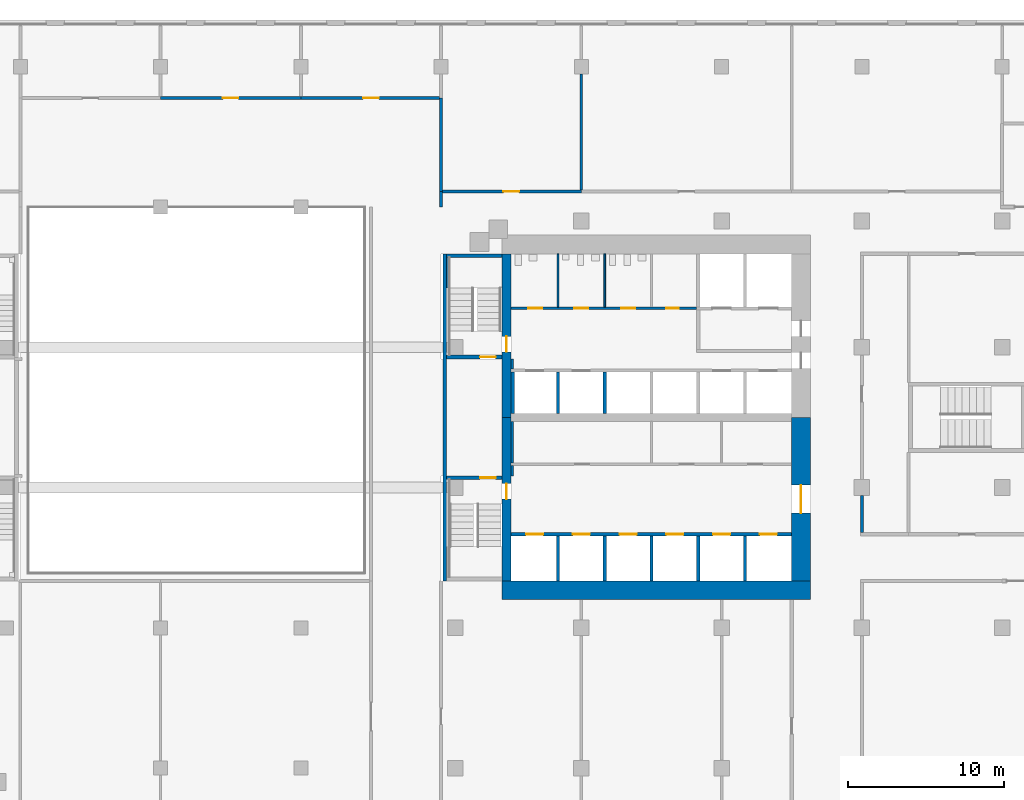
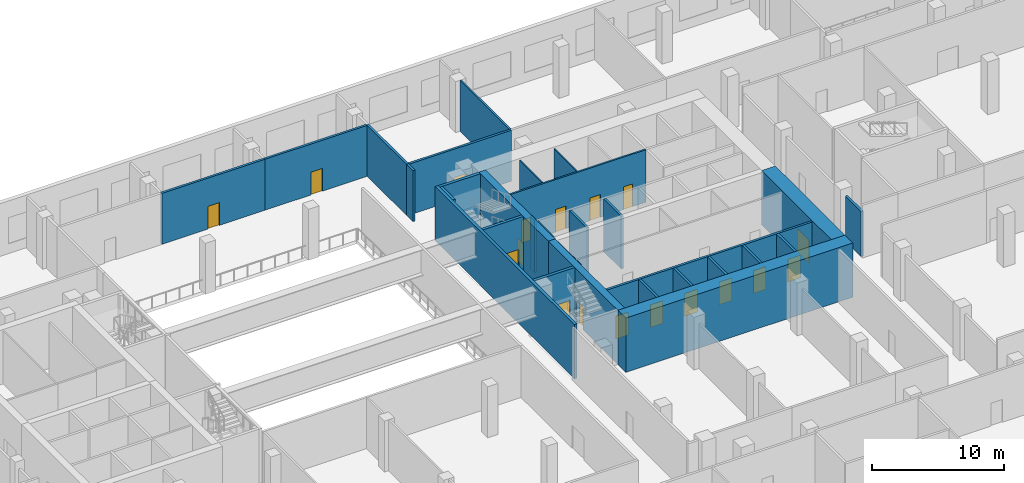
# One storey, part 10 of 20: 31 walls, 18 doors, 18 openings.
"""IFC4 building model written with IfcOpenShell, lengths in metres."""

from ifc_helpers import new_model, si_unit, direction, frame, frame_2d, origin, place, context, subcontext, project, spatial, rectangle, extrude, material, layer, layer_set, type_object, element, fill, save


model = new_model("IFC4")

# Units and contexts
model_context = context("Model", 3, precision=1e-05, world=origin(), true_north=direction((0.0, 1.0)))
body_context = subcontext(model_context, "Body", "Model", "MODEL_VIEW")
ifc_project = project(units=[si_unit("LENGTHUNIT", "METRE"), si_unit("AREAUNIT", "SQUARE_METRE"), si_unit("VOLUMEUNIT", "CUBIC_METRE"), si_unit("PLANEANGLEUNIT", "RADIAN"), si_unit("MASSUNIT", "GRAM", prefix="KILO")], contexts=[model_context])

# Site, building, storey
site_placement = place(None, origin())
site = spatial("IfcSite", under=ifc_project, at=site_placement, CompositionType="ELEMENT")
building_placement = place(site_placement, origin())
building = spatial("IfcBuilding", under=site, at=building_placement, Name="Cinnabar Reach Civic Tower", CompositionType="ELEMENT")
storey_placement = place(building_placement, frame((0.0, 0.0, 21.0)))
storey = spatial("IfcBuildingStorey", under=building, at=storey_placement, Name="L04", CompositionType="ELEMENT", Elevation=21.0)

# Wall
ifc_material_1 = material(Name="Concrete C70", Category="concrete")
ifc_layer_1 = layer(ifc_material_1, 1.2)
ifc_layer_set_1 = layer_set([ifc_layer_1], Name="Core wall 1200 EI 180")
wall_type_1 = type_object("IfcWallType", Name="Core wall 1200 EI 180", PredefinedType="SOLIDWALL", material=ifc_layer_set_1)
wall_1_placement = place(storey_placement, frame((3.9, 20.4, 0.0), z_axis=(0.0, 0.0, 1.0), x_axis=(1.0, 0.0, 0.0)))
element("IfcWall", 1, at=wall_1_placement, inside=storey, type_object=wall_type_1, Name="Core wall T1 L04 S", PredefinedType="SOLIDWALL", context=body_context, shape_type="SweptSolid", body=[
    extrude(rectangle(XDim=19.8, YDim=1.2, at=frame_2d((9.9, 0.0))), origin(), (0.0, 0.0, 1.0), 5.0),
])

# Wall, opening, door
wall_2_placement = place(storey_placement, frame((23.1, 21.0, 0.0), z_axis=(0.0, 0.0, 1.0), x_axis=(0.0, 1.0, 0.0)))
wall_2 = element("IfcWall", 2, at=wall_2_placement, inside=storey, type_object=wall_type_1, Name="Core wall T1 L04 E", PredefinedType="SOLIDWALL", context=body_context, shape_type="SweptSolid", body=[
    extrude(rectangle(XDim=10.5, YDim=1.2, at=frame_2d((5.25, 0.0))), origin(), (0.0, 0.0, 1.0), 5.0),
])
opening_1_placement = place(wall_2_placement, frame((4.35, 0.0, 0.0)))
opening_1 = element("IfcOpeningElement", 3, at=opening_1_placement, cuts=wall_2, Name="Opening D3180", PredefinedType="OPENING", context=body_context, shape_type="SweptSolid", body=[
    extrude(rectangle(XDim=1.8, YDim=2.1, at=frame_2d((0.9, 1.05))), frame((0.0, 0.61, 0.0), z_axis=(0.0, -1.0, 0.0), x_axis=(1.0, 0.0, 0.0)), (0.0, 0.0, 1.0), 1.22),
])
ifc_material_2 = material(Name="Timber door leaf in steel frame", Category="steel")
door_type_1 = type_object("IfcDoorType", Name="Double swing door 1800 x 2100 T1", OperationType="DOUBLE_DOOR_DOUBLE_SWING", PredefinedType="DOOR", material=ifc_material_2)
door_1_placement = place(opening_1_placement, origin())
door_1 = element("IfcDoor", 4, at=door_1_placement, inside=storey, type_object=door_type_1, Name="Door D3180", OperationType="DOUBLE_DOOR_DOUBLE_SWING", OverallHeight=2.1, OverallWidth=1.8, PredefinedType="DOOR", context=body_context, shape_type="SweptSolid", body=[
    extrude(rectangle(XDim=1.8, YDim=2.1, at=frame_2d((0.9, 1.05))), frame((0.0, 0.025, 0.0), z_axis=(0.0, -1.0, 0.0), x_axis=(1.0, 0.0, 0.0)), (0.0, 0.0, 1.0), 0.05),
])
fill(opening_1, door_1)

ifc_layer_2 = layer(ifc_material_1, 0.6)
ifc_layer_set_2 = layer_set([ifc_layer_2], Name="Core wall 600 EI 180")
wall_type_2 = type_object("IfcWallType", Name="Core wall 600 EI 180", PredefinedType="SOLIDWALL", material=ifc_layer_set_2)
wall_3_placement = place(storey_placement, frame((4.2, 42.0, 0.0), z_axis=(0.0, 0.0, 1.0), x_axis=(0.0, -1.0, 0.0)))
wall_3 = element("IfcWall", 5, at=wall_3_placement, inside=storey, type_object=wall_type_2, Name="Core wall T1 L04 W", PredefinedType="SOLIDWALL", context=body_context, shape_type="SweptSolid", body=[
    extrude(rectangle(XDim=10.5, YDim=0.6, at=frame_2d((5.25, 0.0))), origin(), (0.0, 0.0, 1.0), 5.0),
])
opening_2_placement = place(wall_3_placement, frame((5.3, 0.0, 0.0)))
opening_2 = element("IfcOpeningElement", 6, at=opening_2_placement, cuts=wall_3, Name="Opening D3166", PredefinedType="OPENING", context=body_context, shape_type="SweptSolid", body=[
    extrude(rectangle(XDim=1.0, YDim=2.1, at=frame_2d((0.5, 1.05))), frame((0.0, 0.31, 0.0), z_axis=(0.0, -1.0, 0.0), x_axis=(1.0, 0.0, 0.0)), (0.0, 0.0, 1.0), 0.62),
])
door_type_2 = type_object("IfcDoorType", Name="Stair door 1000 x 2100 T1", OperationType="SINGLE_SWING_LEFT", PredefinedType="DOOR", material=ifc_material_2)
door_2_placement = place(opening_2_placement, frame((1.0, 0.0, 0.0), z_axis=(0.0, 0.0, 1.0), x_axis=(-1.0, 0.0, 0.0)))
door_2 = element("IfcDoor", 7, at=door_2_placement, inside=storey, type_object=door_type_2, Name="Door D3166", OperationType="SINGLE_SWING_LEFT", OverallHeight=2.1, OverallWidth=1.0, PredefinedType="DOOR", context=body_context, shape_type="SweptSolid", body=[
    extrude(rectangle(XDim=1.0, YDim=2.1, at=frame_2d((0.5, 1.05))), frame((0.0, 0.025, 0.0), z_axis=(0.0, -1.0, 0.0), x_axis=(1.0, 0.0, 0.0)), (0.0, 0.0, 1.0), 0.05),
])
fill(opening_2, door_2)

wall_4_placement = place(storey_placement, frame((4.2, 31.5, 0.0), z_axis=(0.0, 0.0, 1.0), x_axis=(0.0, -1.0, 0.0)))
wall_4 = element("IfcWall", 8, at=wall_4_placement, inside=storey, type_object=wall_type_2, Name="Core wall T1 L04 W2", PredefinedType="SOLIDWALL", context=body_context, shape_type="SweptSolid", body=[
    extrude(rectangle(XDim=10.5, YDim=0.6, at=frame_2d((5.25, 0.0))), origin(), (0.0, 0.0, 1.0), 5.0),
])
opening_3_placement = place(wall_4_placement, frame((4.25, 0.0, 0.0)))
opening_3 = element("IfcOpeningElement", 9, at=opening_3_placement, cuts=wall_4, Name="Opening D3164", PredefinedType="OPENING", context=body_context, shape_type="SweptSolid", body=[
    extrude(rectangle(XDim=1.0, YDim=2.1, at=frame_2d((0.5, 1.05))), frame((0.0, 0.31, 0.0), z_axis=(0.0, -1.0, 0.0), x_axis=(1.0, 0.0, 0.0)), (0.0, 0.0, 1.0), 0.62),
])
door_3_placement = place(opening_3_placement, frame((1.0, 0.0, 0.0), z_axis=(0.0, 0.0, 1.0), x_axis=(-1.0, 0.0, 0.0)))
door_3 = element("IfcDoor", 10, at=door_3_placement, inside=storey, type_object=door_type_2, Name="Door D3164", OperationType="SINGLE_SWING_RIGHT", OverallHeight=2.1, OverallWidth=1.0, PredefinedType="DOOR", context=body_context, shape_type="SweptSolid", body=[
    extrude(rectangle(XDim=1.0, YDim=2.1, at=frame_2d((0.5, 1.05))), frame((0.0, 0.025, 0.0), z_axis=(0.0, -1.0, 0.0), x_axis=(1.0, 0.0, 0.0)), (0.0, 0.0, 1.0), 0.05),
])
fill(opening_3, door_3)

# Wall, openings, doors
ifc_material_3 = material(Name="Gypsum board on steel studs, double layer", Category="steel")
ifc_layer_3 = layer(ifc_material_3, 0.15)
ifc_layer_set_3 = layer_set([ifc_layer_3], Name="Corridor wall 150 T1")
wall_type_3 = type_object("IfcWallType", Name="Corridor wall 150 T1", PredefinedType="PARTITIONING", material=ifc_layer_set_3)
wall_5_placement = place(storey_placement, frame((4.5, 38.5, 0.0), z_axis=(0.0, 0.0, 1.0), x_axis=(1.0, 0.0, 0.0)))
wall_5 = element("IfcWall", 11, at=wall_5_placement, inside=storey, type_object=wall_type_3, Name="Corridor wall 20", PredefinedType="PARTITIONING", context=body_context, shape_type="SweptSolid", body=[
    extrude(rectangle(XDim=11.9, YDim=0.15, at=frame_2d((5.95, 0.0))), origin(), (0.0, 0.0, 1.0), 4.85),
])
opening_4_placement = place(wall_5_placement, frame((1.1, 0.0, 0.0)))
opening_4 = element("IfcOpeningElement", 12, at=opening_4_placement, cuts=wall_5, Name="Opening D3186", PredefinedType="OPENING", context=body_context, shape_type="SweptSolid", body=[
    extrude(rectangle(XDim=0.9, YDim=2.1, at=frame_2d((0.45, 1.05))), frame((0.0, 0.085, 0.0), z_axis=(0.0, -1.0, 0.0), x_axis=(1.0, 0.0, 0.0)), (0.0, 0.0, 1.0), 0.17),
])
opening_5_placement = place(wall_5_placement, frame((4.05, 0.0, 0.0)))
opening_5 = element("IfcOpeningElement", 13, at=opening_5_placement, cuts=wall_5, Name="Opening D3187", PredefinedType="OPENING", context=body_context, shape_type="SweptSolid", body=[
    extrude(rectangle(XDim=0.9, YDim=2.1, at=frame_2d((0.45, 1.05))), frame((0.0, 0.085, 0.0), z_axis=(0.0, -1.0, 0.0), x_axis=(1.0, 0.0, 0.0)), (0.0, 0.0, 1.0), 0.17),
])
opening_6_placement = place(wall_5_placement, frame((7.05, 0.0, 0.0)))
opening_6 = element("IfcOpeningElement", 14, at=opening_6_placement, cuts=wall_5, Name="Opening D3188", PredefinedType="OPENING", context=body_context, shape_type="SweptSolid", body=[
    extrude(rectangle(XDim=0.9, YDim=2.1, at=frame_2d((0.45, 1.05))), frame((0.0, 0.085, 0.0), z_axis=(0.0, -1.0, 0.0), x_axis=(1.0, 0.0, 0.0)), (0.0, 0.0, 1.0), 0.17),
])
opening_7_placement = place(wall_5_placement, frame((9.95, 0.0, 0.0)))
opening_7 = element("IfcOpeningElement", 15, at=opening_7_placement, cuts=wall_5, Name="Opening D3189", PredefinedType="OPENING", context=body_context, shape_type="SweptSolid", body=[
    extrude(rectangle(XDim=0.8, YDim=2.1, at=frame_2d((0.4, 1.05))), frame((0.0, 0.085, 0.0), z_axis=(0.0, -1.0, 0.0), x_axis=(1.0, 0.0, 0.0)), (0.0, 0.0, 1.0), 0.17),
])
door_type_3 = type_object("IfcDoorType", Name="Riser access door 800 x 2100 T1", OperationType="SINGLE_SWING_LEFT", PredefinedType="DOOR", material=ifc_material_2)
door_4_placement = place(opening_7_placement, origin())
door_4 = element("IfcDoor", 16, at=door_4_placement, inside=storey, type_object=door_type_3, Name="Door D3189", OperationType="SINGLE_SWING_RIGHT", OverallHeight=2.1, OverallWidth=0.8, PredefinedType="DOOR", context=body_context, shape_type="SweptSolid", body=[
    extrude(rectangle(XDim=0.8, YDim=2.1, at=frame_2d((0.4, 1.05))), frame((0.0, 0.025, 0.0), z_axis=(0.0, -1.0, 0.0), x_axis=(1.0, 0.0, 0.0)), (0.0, 0.0, 1.0), 0.05),
])
fill(opening_7, door_4)
door_type_4 = type_object("IfcDoorType", Name="Single swing door 900 x 2100 corridor T1", OperationType="SINGLE_SWING_LEFT", PredefinedType="DOOR", material=ifc_material_2)
door_5_placement = place(opening_4_placement, origin())
door_5 = element("IfcDoor", 17, at=door_5_placement, inside=storey, type_object=door_type_4, Name="Door D3186", OperationType="SINGLE_SWING_RIGHT", OverallHeight=2.1, OverallWidth=0.9, PredefinedType="DOOR", context=body_context, shape_type="SweptSolid", body=[
    extrude(rectangle(XDim=0.9, YDim=2.1, at=frame_2d((0.45, 1.05))), frame((0.0, 0.025, 0.0), z_axis=(0.0, -1.0, 0.0), x_axis=(1.0, 0.0, 0.0)), (0.0, 0.0, 1.0), 0.05),
])
fill(opening_4, door_5)
door_6_placement = place(opening_5_placement, origin())
door_6 = element("IfcDoor", 18, at=door_6_placement, inside=storey, type_object=door_type_4, Name="Door D3187", OperationType="SINGLE_SWING_LEFT", OverallHeight=2.1, OverallWidth=0.9, PredefinedType="DOOR", context=body_context, shape_type="SweptSolid", body=[
    extrude(rectangle(XDim=0.9, YDim=2.1, at=frame_2d((0.45, 1.05))), frame((0.0, 0.025, 0.0), z_axis=(0.0, -1.0, 0.0), x_axis=(1.0, 0.0, 0.0)), (0.0, 0.0, 1.0), 0.05),
])
fill(opening_5, door_6)
door_7_placement = place(opening_6_placement, origin())
door_7 = element("IfcDoor", 19, at=door_7_placement, inside=storey, type_object=door_type_4, Name="Door D3188", OperationType="SINGLE_SWING_LEFT", OverallHeight=2.1, OverallWidth=0.9, PredefinedType="DOOR", context=body_context, shape_type="SweptSolid", body=[
    extrude(rectangle(XDim=0.9, YDim=2.1, at=frame_2d((0.45, 1.05))), frame((0.0, 0.025, 0.0), z_axis=(0.0, -1.0, 0.0), x_axis=(1.0, 0.0, 0.0)), (0.0, 0.0, 1.0), 0.05),
])
fill(opening_6, door_7)

# Walls
wall_6_placement = place(storey_placement, frame((4.575, 27.75, 0.0), z_axis=(0.0, 0.0, 1.0), x_axis=(0.0, 1.0, 0.0)))
element("IfcWall", 20, at=wall_6_placement, inside=storey, type_object=wall_type_3, Name="Corridor wall 21", PredefinedType="PARTITIONING", context=body_context, shape_type="SweptSolid", body=[
    extrude(rectangle(XDim=0.675, YDim=0.15, at=frame_2d((0.3375, 0.0))), origin(), (0.0, 0.0, 1.0), 4.85),
])
wall_7_placement = place(storey_placement, frame((4.575, 28.575, 0.0), z_axis=(0.0, 0.0, 1.0), x_axis=(0.0, 1.0, 0.0)))
element("IfcWall", 21, at=wall_7_placement, inside=storey, type_object=wall_type_3, Name="Corridor wall 22", PredefinedType="PARTITIONING", context=body_context, shape_type="SweptSolid", body=[
    extrude(rectangle(XDim=2.675, YDim=0.15, at=frame_2d((1.3375, 0.0))), origin(), (0.0, 0.0, 1.0), 4.85),
])
wall_8_placement = place(storey_placement, frame((4.575, 34.6, 0.0), z_axis=(0.0, 0.0, 1.0), x_axis=(0.0, 1.0, 0.0)))
element("IfcWall", 22, at=wall_8_placement, inside=storey, type_object=wall_type_3, Name="Corridor wall 23", PredefinedType="PARTITIONING", context=body_context, shape_type="SweptSolid", body=[
    extrude(rectangle(XDim=0.65, YDim=0.15, at=frame_2d((0.325, 0.0))), origin(), (0.0, 0.0, 1.0), 4.85),
])

# Wall, openings, doors
ifc_material_4 = material(Name="Blockwork", Category="masonry")
ifc_layer_4 = layer(ifc_material_4, 0.2)
ifc_layer_set_4 = layer_set([ifc_layer_4], Name="Lift shaft wall 200 T1")
wall_type_4 = type_object("IfcWallType", Name="Lift shaft wall 200 T1", PredefinedType="PARTITIONING", material=ifc_layer_set_4)
wall_9_placement = place(storey_placement, frame((4.5, 24.0, 0.0), z_axis=(0.0, 0.0, 1.0), x_axis=(1.0, 0.0, 0.0)))
wall_9 = element("IfcWall", 23, at=wall_9_placement, inside=storey, type_object=wall_type_4, Name="Lift shaft wall 4", PredefinedType="PARTITIONING", context=body_context, shape_type="SweptSolid", body=[
    extrude(rectangle(XDim=18.0, YDim=0.2, at=frame_2d((9.0, 0.0))), origin(), (0.0, 0.0, 1.0), 4.85),
])
opening_8_placement = place(wall_9_placement, frame((0.95, 0.0, 0.0)))
opening_8 = element("IfcOpeningElement", 24, at=opening_8_placement, cuts=wall_9, Name="Opening D3168", PredefinedType="OPENING", context=body_context, shape_type="SweptSolid", body=[
    extrude(rectangle(XDim=1.1, YDim=2.1, at=frame_2d((0.55, 1.05))), frame((0.0, 0.11, 0.0), z_axis=(0.0, -1.0, 0.0), x_axis=(1.0, 0.0, 0.0)), (0.0, 0.0, 1.0), 0.22),
])
opening_9_placement = place(wall_9_placement, frame((3.95, 0.0, 0.0)))
opening_9 = element("IfcOpeningElement", 25, at=opening_9_placement, cuts=wall_9, Name="Opening D3169", PredefinedType="OPENING", context=body_context, shape_type="SweptSolid", body=[
    extrude(rectangle(XDim=1.1, YDim=2.1, at=frame_2d((0.55, 1.05))), frame((0.0, 0.11, 0.0), z_axis=(0.0, -1.0, 0.0), x_axis=(1.0, 0.0, 0.0)), (0.0, 0.0, 1.0), 0.22),
])
opening_10_placement = place(wall_9_placement, frame((6.95, 0.0, 0.0)))
opening_10 = element("IfcOpeningElement", 26, at=opening_10_placement, cuts=wall_9, Name="Opening D3170", PredefinedType="OPENING", context=body_context, shape_type="SweptSolid", body=[
    extrude(rectangle(XDim=1.1, YDim=2.1, at=frame_2d((0.55, 1.05))), frame((0.0, 0.11, 0.0), z_axis=(0.0, -1.0, 0.0), x_axis=(1.0, 0.0, 0.0)), (0.0, 0.0, 1.0), 0.22),
])
opening_11_placement = place(wall_9_placement, frame((9.95, 0.0, 0.0)))
opening_11 = element("IfcOpeningElement", 27, at=opening_11_placement, cuts=wall_9, Name="Opening D3171", PredefinedType="OPENING", context=body_context, shape_type="SweptSolid", body=[
    extrude(rectangle(XDim=1.1, YDim=2.1, at=frame_2d((0.55, 1.05))), frame((0.0, 0.11, 0.0), z_axis=(0.0, -1.0, 0.0), x_axis=(1.0, 0.0, 0.0)), (0.0, 0.0, 1.0), 0.22),
])
opening_12_placement = place(wall_9_placement, frame((12.95, 0.0, 0.0)))
opening_12 = element("IfcOpeningElement", 28, at=opening_12_placement, cuts=wall_9, Name="Opening D3172", PredefinedType="OPENING", context=body_context, shape_type="SweptSolid", body=[
    extrude(rectangle(XDim=1.1, YDim=2.1, at=frame_2d((0.55, 1.05))), frame((0.0, 0.11, 0.0), z_axis=(0.0, -1.0, 0.0), x_axis=(1.0, 0.0, 0.0)), (0.0, 0.0, 1.0), 0.22),
])
opening_13_placement = place(wall_9_placement, frame((15.95, 0.0, 0.0)))
opening_13 = element("IfcOpeningElement", 29, at=opening_13_placement, cuts=wall_9, Name="Opening D3173", PredefinedType="OPENING", context=body_context, shape_type="SweptSolid", body=[
    extrude(rectangle(XDim=1.1, YDim=2.1, at=frame_2d((0.55, 1.05))), frame((0.0, 0.11, 0.0), z_axis=(0.0, -1.0, 0.0), x_axis=(1.0, 0.0, 0.0)), (0.0, 0.0, 1.0), 0.22),
])
ifc_material_5 = material(Name="Stainless steel sliding door", Category="steel")
door_type_5 = type_object("IfcDoorType", Name="Lift landing door 1100 x 2100 T1", OperationType="SLIDING_TO_LEFT", PredefinedType="DOOR", material=ifc_material_5)
door_8_placement = place(opening_8_placement, origin())
door_8 = element("IfcDoor", 30, at=door_8_placement, inside=storey, type_object=door_type_5, Name="Lift landing door LR1 L04", OperationType="SLIDING_TO_LEFT", OverallHeight=2.1, OverallWidth=1.1, PredefinedType="DOOR", context=body_context, shape_type="SweptSolid", body=[
    extrude(rectangle(XDim=1.1, YDim=2.1, at=frame_2d((0.55, 1.05))), frame((0.0, 0.025, 0.0), z_axis=(0.0, -1.0, 0.0), x_axis=(1.0, 0.0, 0.0)), (0.0, 0.0, 1.0), 0.05),
])
fill(opening_8, door_8)
door_9_placement = place(opening_9_placement, origin())
door_9 = element("IfcDoor", 31, at=door_9_placement, inside=storey, type_object=door_type_5, Name="Lift landing door LR2 L04", OperationType="SLIDING_TO_LEFT", OverallHeight=2.1, OverallWidth=1.1, PredefinedType="DOOR", context=body_context, shape_type="SweptSolid", body=[
    extrude(rectangle(XDim=1.1, YDim=2.1, at=frame_2d((0.55, 1.05))), frame((0.0, 0.025, 0.0), z_axis=(0.0, -1.0, 0.0), x_axis=(1.0, 0.0, 0.0)), (0.0, 0.0, 1.0), 0.05),
])
fill(opening_9, door_9)
door_10_placement = place(opening_10_placement, origin())
door_10 = element("IfcDoor", 32, at=door_10_placement, inside=storey, type_object=door_type_5, Name="Lift landing door LR3 L04", OperationType="SLIDING_TO_LEFT", OverallHeight=2.1, OverallWidth=1.1, PredefinedType="DOOR", context=body_context, shape_type="SweptSolid", body=[
    extrude(rectangle(XDim=1.1, YDim=2.1, at=frame_2d((0.55, 1.05))), frame((0.0, 0.025, 0.0), z_axis=(0.0, -1.0, 0.0), x_axis=(1.0, 0.0, 0.0)), (0.0, 0.0, 1.0), 0.05),
])
fill(opening_10, door_10)
door_11_placement = place(opening_11_placement, origin())
door_11 = element("IfcDoor", 33, at=door_11_placement, inside=storey, type_object=door_type_5, Name="Lift landing door LR4 L04", OperationType="SLIDING_TO_LEFT", OverallHeight=2.1, OverallWidth=1.1, PredefinedType="DOOR", context=body_context, shape_type="SweptSolid", body=[
    extrude(rectangle(XDim=1.1, YDim=2.1, at=frame_2d((0.55, 1.05))), frame((0.0, 0.025, 0.0), z_axis=(0.0, -1.0, 0.0), x_axis=(1.0, 0.0, 0.0)), (0.0, 0.0, 1.0), 0.05),
])
fill(opening_11, door_11)
door_12_placement = place(opening_12_placement, origin())
door_12 = element("IfcDoor", 34, at=door_12_placement, inside=storey, type_object=door_type_5, Name="Lift landing door LR5 L04", OperationType="SLIDING_TO_LEFT", OverallHeight=2.1, OverallWidth=1.1, PredefinedType="DOOR", context=body_context, shape_type="SweptSolid", body=[
    extrude(rectangle(XDim=1.1, YDim=2.1, at=frame_2d((0.55, 1.05))), frame((0.0, 0.025, 0.0), z_axis=(0.0, -1.0, 0.0), x_axis=(1.0, 0.0, 0.0)), (0.0, 0.0, 1.0), 0.05),
])
fill(opening_12, door_12)
door_13_placement = place(opening_13_placement, origin())
door_13 = element("IfcDoor", 35, at=door_13_placement, inside=storey, type_object=door_type_5, Name="Lift landing door LR6 L04", OperationType="SLIDING_TO_LEFT", OverallHeight=2.1, OverallWidth=1.1, PredefinedType="DOOR", context=body_context, shape_type="SweptSolid", body=[
    extrude(rectangle(XDim=1.1, YDim=2.1, at=frame_2d((0.55, 1.05))), frame((0.0, 0.025, 0.0), z_axis=(0.0, -1.0, 0.0), x_axis=(1.0, 0.0, 0.0)), (0.0, 0.0, 1.0), 0.05),
])
fill(opening_13, door_13)

# Walls
wall_10_placement = place(storey_placement, frame((4.6, 31.75, 0.0), z_axis=(0.0, 0.0, 1.0), x_axis=(0.0, 1.0, 0.0)))
element("IfcWall", 36, at=wall_10_placement, inside=storey, type_object=wall_type_4, Name="Lift shaft wall 8", PredefinedType="PARTITIONING", context=body_context, shape_type="SweptSolid", body=[
    extrude(rectangle(XDim=2.65, YDim=0.2, at=frame_2d((1.325, 0.0))), origin(), (0.0, 0.0, 1.0), 4.85),
])
wall_11_placement = place(storey_placement, frame((7.5, 21.0, 0.0), z_axis=(0.0, 0.0, 1.0), x_axis=(0.0, 1.0, 0.0)))
element("IfcWall", 37, at=wall_11_placement, inside=storey, type_object=wall_type_4, Name="Lift shaft wall 9", PredefinedType="PARTITIONING", context=body_context, shape_type="SweptSolid", body=[
    extrude(rectangle(XDim=2.9, YDim=0.2, at=frame_2d((1.45, 0.0))), origin(), (0.0, 0.0, 1.0), 4.85),
])
wall_12_placement = place(storey_placement, frame((7.5, 31.75, 0.0), z_axis=(0.0, 0.0, 1.0), x_axis=(0.0, 1.0, 0.0)))
element("IfcWall", 38, at=wall_12_placement, inside=storey, type_object=wall_type_4, Name="Lift shaft wall 10", PredefinedType="PARTITIONING", context=body_context, shape_type="SweptSolid", body=[
    extrude(rectangle(XDim=2.65, YDim=0.2, at=frame_2d((1.325, 0.0))), origin(), (0.0, 0.0, 1.0), 4.85),
])
wall_13_placement = place(storey_placement, frame((10.5, 21.0, 0.0), z_axis=(0.0, 0.0, 1.0), x_axis=(0.0, 1.0, 0.0)))
element("IfcWall", 39, at=wall_13_placement, inside=storey, type_object=wall_type_4, Name="Lift shaft wall 11", PredefinedType="PARTITIONING", context=body_context, shape_type="SweptSolid", body=[
    extrude(rectangle(XDim=2.9, YDim=0.2, at=frame_2d((1.45, 0.0))), origin(), (0.0, 0.0, 1.0), 4.85),
])
wall_14_placement = place(storey_placement, frame((10.5, 31.75, 0.0), z_axis=(0.0, 0.0, 1.0), x_axis=(0.0, 1.0, 0.0)))
element("IfcWall", 40, at=wall_14_placement, inside=storey, type_object=wall_type_4, Name="Lift shaft wall 12", PredefinedType="PARTITIONING", context=body_context, shape_type="SweptSolid", body=[
    extrude(rectangle(XDim=2.65, YDim=0.2, at=frame_2d((1.325, 0.0))), origin(), (0.0, 0.0, 1.0), 4.85),
])
for number, where, z_axis, x_axis, name in (
    (41, (13.5, 21.0, 0.0), (0.0, 0.0, 1.0), (0.0, 1.0, 0.0), "Lift shaft wall 13"),
    (42, (16.5, 21.0, 0.0), (0.0, 0.0, 1.0), (0.0, 1.0, 0.0), "Lift shaft wall 15"),
    (43, (19.5, 21.0, 0.0), (0.0, 0.0, 1.0), (0.0, 1.0, 0.0), "Lift shaft wall 17"),
):
    element("IfcWall", number, at=place(storey_placement, frame(where, z_axis=z_axis, x_axis=x_axis)), inside=storey, type_object=wall_type_4, Name=name, PredefinedType="PARTITIONING", context=body_context, shape_type="SweptSolid", body=[
        extrude(rectangle(XDim=2.9, YDim=0.2, at=frame_2d((1.45, 0.0))), origin(), (0.0, 0.0, 1.0), 4.85),
    ])
ifc_material_6 = material(Name="Gypsum board on steel studs", Category="steel")
ifc_layer_5 = layer(ifc_material_6, 0.1)
ifc_layer_set_5 = layer_set([ifc_layer_5], Name="Partition wall 100 T1")
wall_type_5 = type_object("IfcWallType", Name="Partition wall 100 T1", PredefinedType="PARTITIONING", material=ifc_layer_set_5)
for number, where, z_axis, x_axis, name in (
    (44, (7.5, 38.575, 0.0), (0.0, 0.0, 1.0), (0.0, 1.0, 0.0), "Partition wall 25"),
    (45, (10.5, 38.575, 0.0), (0.0, 0.0, 1.0), (0.0, 1.0, 0.0), "Partition wall 26"),
):
    element("IfcWall", number, at=place(storey_placement, frame(where, z_axis=z_axis, x_axis=x_axis)), inside=storey, type_object=wall_type_5, Name=name, PredefinedType="PARTITIONING", context=body_context, shape_type="SweptSolid", body=[
        extrude(rectangle(XDim=3.425, YDim=0.1, at=frame_2d((1.7125, 0.0))), origin(), (0.0, 0.0, 1.0), 4.85),
    ])
ifc_material_7 = material(Name="Concrete blockwork", Category="masonry")
ifc_layer_6 = layer(ifc_material_7, 0.2)
ifc_layer_set_6 = layer_set([ifc_layer_6], Name="Podium masonry corridor wall 200 EI 120")
wall_type_6 = type_object("IfcWallType", Name="Podium masonry corridor wall 200 EI 120", PredefinedType="PARTITIONING", material=ifc_layer_set_6)
wall_15_placement = place(storey_placement, frame((0.0, 45.0, 0.0), z_axis=(0.0, 0.0, 1.0), x_axis=(0.0, 1.0, 0.0)))
element("IfcWall", 46, at=wall_15_placement, inside=storey, type_object=wall_type_6, Name="Wall L04 94", PredefinedType="PARTITIONING", context=body_context, shape_type="SweptSolid", body=[
    extrude(rectangle(XDim=1.0, YDim=0.2, at=frame_2d((0.5, 0.0))), origin(), (0.0, 0.0, 1.0), 4.7),
])

# Wall, opening, door
wall_16_placement = place(storey_placement, frame((0.1, 46.0, 0.0), z_axis=(0.0, 0.0, 1.0), x_axis=(1.0, 0.0, 0.0)))
wall_16 = element("IfcWall", 47, at=wall_16_placement, inside=storey, type_object=wall_type_6, Name="Wall L04 97", PredefinedType="PARTITIONING", context=body_context, shape_type="SweptSolid", body=[
    extrude(rectangle(XDim=8.9, YDim=0.2, at=frame_2d((4.45, 0.0))), origin(), (0.0, 0.0, 1.0), 4.7),
])
opening_14_placement = place(wall_16_placement, frame((3.9, 0.0, 0.0)))
opening_14 = element("IfcOpeningElement", 48, at=opening_14_placement, cuts=wall_16, Name="Opening D1254", PredefinedType="OPENING", context=body_context, shape_type="SweptSolid", body=[
    extrude(rectangle(XDim=1.0, YDim=2.1, at=frame_2d((0.5, 1.05))), frame((0.0, 0.11, 0.0), z_axis=(0.0, -1.0, 0.0), x_axis=(1.0, 0.0, 0.0)), (0.0, 0.0, 1.0), 0.22),
])
ifc_material_8 = material(Name="Painted steel door leaf", Category="steel")
door_type_6 = type_object("IfcDoorType", Name="Podium single door 1000x2100", OperationType="SINGLE_SWING_LEFT", PredefinedType="DOOR", material=ifc_material_8)
door_14_placement = place(opening_14_placement, origin())
door_14 = element("IfcDoor", 49, at=door_14_placement, inside=storey, type_object=door_type_6, Name="Door D1254", OperationType="SINGLE_SWING_RIGHT", OverallHeight=2.1, OverallWidth=1.0, PredefinedType="DOOR", context=body_context, shape_type="SweptSolid", body=[
    extrude(rectangle(XDim=1.0, YDim=2.1, at=frame_2d((0.5, 1.05))), frame((0.0, 0.025, 0.0), z_axis=(0.0, -1.0, 0.0), x_axis=(1.0, 0.0, 0.0)), (0.0, 0.0, 1.0), 0.05),
])
fill(opening_14, door_14)

# Wall
wall_17_placement = place(storey_placement, frame((27.0, 24.1, 0.0), z_axis=(0.0, 0.0, 1.0), x_axis=(0.0, 1.0, 0.0)))
element("IfcWall", 50, at=wall_17_placement, inside=storey, type_object=wall_type_6, Name="Wall L04 107", PredefinedType="PARTITIONING", context=body_context, shape_type="SweptSolid", body=[
    extrude(rectangle(XDim=2.38, YDim=0.2, at=frame_2d((1.19, 0.0))), origin(), (0.0, 0.0, 1.0), 4.158),
])

# Wall, opening, door
wall_18_placement = place(storey_placement, frame((-18.0, 52.0, 0.0), z_axis=(0.0, 0.0, 1.0), x_axis=(1.0, 0.0, 0.0)))
wall_18 = element("IfcWall", 51, at=wall_18_placement, inside=storey, type_object=wall_type_6, Name="Wall L04 129", PredefinedType="PARTITIONING", context=body_context, shape_type="SweptSolid", body=[
    extrude(rectangle(XDim=9.0, YDim=0.2, at=frame_2d((4.5, 0.0))), origin(), (0.0, 0.0, 1.0), 4.7),
])
opening_15_placement = place(wall_18_placement, frame((4.0, 0.0, 0.0)))
opening_15 = element("IfcOpeningElement", 52, at=opening_15_placement, cuts=wall_18, Name="Opening D1223", PredefinedType="OPENING", context=body_context, shape_type="SweptSolid", body=[
    extrude(rectangle(XDim=1.0, YDim=2.1, at=frame_2d((0.5, 1.05))), frame((0.0, 0.11, 0.0), z_axis=(0.0, -1.0, 0.0), x_axis=(1.0, 0.0, 0.0)), (0.0, 0.0, 1.0), 0.22),
])
door_15_placement = place(opening_15_placement, origin())
door_15 = element("IfcDoor", 53, at=door_15_placement, inside=storey, type_object=door_type_6, Name="Door D1223", OperationType="SINGLE_SWING_LEFT", OverallHeight=2.1, OverallWidth=1.0, PredefinedType="DOOR", context=body_context, shape_type="SweptSolid", body=[
    extrude(rectangle(XDim=1.0, YDim=2.1, at=frame_2d((0.5, 1.05))), frame((0.0, 0.025, 0.0), z_axis=(0.0, -1.0, 0.0), x_axis=(1.0, 0.0, 0.0)), (0.0, 0.0, 1.0), 0.05),
])
fill(opening_15, door_15)

wall_19_placement = place(storey_placement, frame((-9.0, 52.0, 0.0), z_axis=(0.0, 0.0, 1.0), x_axis=(1.0, 0.0, 0.0)))
wall_19 = element("IfcWall", 54, at=wall_19_placement, inside=storey, type_object=wall_type_6, Name="Wall L04 130", PredefinedType="PARTITIONING", context=body_context, shape_type="SweptSolid", body=[
    extrude(rectangle(XDim=8.9, YDim=0.2, at=frame_2d((4.45, 0.0))), origin(), (0.0, 0.0, 1.0), 4.7),
])
opening_16_placement = place(wall_19_placement, frame((4.0, 0.0, 0.0)))
opening_16 = element("IfcOpeningElement", 55, at=opening_16_placement, cuts=wall_19, Name="Opening D1224", PredefinedType="OPENING", context=body_context, shape_type="SweptSolid", body=[
    extrude(rectangle(XDim=1.0, YDim=2.1, at=frame_2d((0.5, 1.05))), frame((0.0, 0.11, 0.0), z_axis=(0.0, -1.0, 0.0), x_axis=(1.0, 0.0, 0.0)), (0.0, 0.0, 1.0), 0.22),
])
door_16_placement = place(opening_16_placement, origin())
door_16 = element("IfcDoor", 56, at=door_16_placement, inside=storey, type_object=door_type_6, Name="Door D1224", OperationType="SINGLE_SWING_RIGHT", OverallHeight=2.1, OverallWidth=1.0, PredefinedType="DOOR", context=body_context, shape_type="SweptSolid", body=[
    extrude(rectangle(XDim=1.0, YDim=2.1, at=frame_2d((0.5, 1.05))), frame((0.0, 0.025, 0.0), z_axis=(0.0, -1.0, 0.0), x_axis=(1.0, 0.0, 0.0)), (0.0, 0.0, 1.0), 0.05),
])
fill(opening_16, door_16)

# Walls
wall_20_placement = place(storey_placement, frame((0.0, 46.0, 0.0), z_axis=(0.0, 0.0, 1.0), x_axis=(0.0, 1.0, 0.0)))
element("IfcWall", 57, at=wall_20_placement, inside=storey, type_object=wall_type_6, Name="Wall L04 132", PredefinedType="PARTITIONING", context=body_context, shape_type="SweptSolid", body=[
    extrude(rectangle(XDim=6.0, YDim=0.2, at=frame_2d((3.0, 0.0))), origin(), (0.0, 0.0, 1.0), 4.7),
])
ifc_layer_7 = layer(ifc_material_6, 0.15)
ifc_layer_set_7 = layer_set([ifc_layer_7], Name="Podium partition wall 150 EI 90")
wall_type_7 = type_object("IfcWallType", Name="Podium partition wall 150 EI 90", PredefinedType="PARTITIONING", material=ifc_layer_set_7)
wall_21_placement = place(storey_placement, frame((9.0, 46.1, 0.0), z_axis=(0.0, 0.0, 1.0), x_axis=(0.0, 1.0, 0.0)))
element("IfcWall", 58, at=wall_21_placement, inside=storey, type_object=wall_type_7, Name="Wall L04 196", PredefinedType="PARTITIONING", context=body_context, shape_type="SweptSolid", body=[
    extrude(rectangle(XDim=7.43, YDim=0.15, at=frame_2d((3.715, 0.0))), origin(), (0.0, 0.0, 1.0), 4.7),
])

# Wall, opening, door
ifc_material_9 = material(Name="Concrete C60", Category="concrete")
ifc_layer_8 = layer(ifc_material_9, 0.25)
ifc_layer_set_8 = layer_set([ifc_layer_8], Name="Stair shaft wall 250 EI 120")
wall_type_8 = type_object("IfcWallType", Name="Stair shaft wall 250 EI 120", PredefinedType="SOLIDWALL", material=ifc_layer_set_8)
wall_22_placement = place(storey_placement, frame((3.9, 27.625, 0.0), z_axis=(0.0, 0.0, 1.0), x_axis=(-1.0, 0.0, 0.0)))
wall_22 = element("IfcWall", 59, at=wall_22_placement, inside=storey, type_object=wall_type_8, Name="Stair shaft wall T1-S1 L04", PredefinedType="SOLIDWALL", context=body_context, shape_type="SweptSolid", body=[
    extrude(rectangle(XDim=3.54, YDim=0.25, at=frame_2d((1.77, 0.0))), origin(), (0.0, 0.0, 1.0), 5.0),
])
opening_17_placement = place(wall_22_placement, frame((0.4, 0.0, 0.0)))
opening_17 = element("IfcOpeningElement", 60, at=opening_17_placement, cuts=wall_22, Name="Opening D3165", PredefinedType="OPENING", context=body_context, shape_type="SweptSolid", body=[
    extrude(rectangle(XDim=1.0, YDim=2.1, at=frame_2d((0.5, 1.05))), frame((0.0, 0.135, 0.0), z_axis=(0.0, -1.0, 0.0), x_axis=(1.0, 0.0, 0.0)), (0.0, 0.0, 1.0), 0.27),
])
door_17_placement = place(opening_17_placement, origin())
door_17 = element("IfcDoor", 61, at=door_17_placement, inside=storey, type_object=door_type_2, Name="Door D3165", OperationType="SINGLE_SWING_LEFT", OverallHeight=2.1, OverallWidth=1.0, PredefinedType="DOOR", context=body_context, shape_type="SweptSolid", body=[
    extrude(rectangle(XDim=1.0, YDim=2.1, at=frame_2d((0.5, 1.05))), frame((0.0, 0.025, 0.0), z_axis=(0.0, -1.0, 0.0), x_axis=(1.0, 0.0, 0.0)), (0.0, 0.0, 1.0), 0.05),
])
fill(opening_17, door_17)

wall_23_placement = place(storey_placement, frame((0.36, 35.375, 0.0), z_axis=(0.0, 0.0, 1.0), x_axis=(1.0, 0.0, 0.0)))
wall_23 = element("IfcWall", 62, at=wall_23_placement, inside=storey, type_object=wall_type_8, Name="Stair shaft wall T1-S2 L04", PredefinedType="SOLIDWALL", context=body_context, shape_type="SweptSolid", body=[
    extrude(rectangle(XDim=3.54, YDim=0.25, at=frame_2d((1.77, 0.0))), origin(), (0.0, 0.0, 1.0), 5.0),
])
opening_18_placement = place(wall_23_placement, frame((2.14, 0.0, 0.0)))
opening_18 = element("IfcOpeningElement", 63, at=opening_18_placement, cuts=wall_23, Name="Opening D3167", PredefinedType="OPENING", context=body_context, shape_type="SweptSolid", body=[
    extrude(rectangle(XDim=1.0, YDim=2.1, at=frame_2d((0.5, 1.05))), frame((0.0, 0.135, 0.0), z_axis=(0.0, -1.0, 0.0), x_axis=(1.0, 0.0, 0.0)), (0.0, 0.0, 1.0), 0.27),
])
door_18_placement = place(opening_18_placement, origin())
door_18 = element("IfcDoor", 64, at=door_18_placement, inside=storey, type_object=door_type_2, Name="Door D3167", OperationType="SINGLE_SWING_RIGHT", OverallHeight=2.1, OverallWidth=1.0, PredefinedType="DOOR", context=body_context, shape_type="SweptSolid", body=[
    extrude(rectangle(XDim=1.0, YDim=2.1, at=frame_2d((0.5, 1.05))), frame((0.0, 0.025, 0.0), z_axis=(0.0, -1.0, 0.0), x_axis=(1.0, 0.0, 0.0)), (0.0, 0.0, 1.0), 0.05),
])
fill(opening_18, door_18)

# Walls
wall_24_placement = place(storey_placement, frame((3.9, 41.875, 0.0), z_axis=(0.0, 0.0, 1.0), x_axis=(-1.0, 0.0, 0.0)))
element("IfcWall", 65, at=wall_24_placement, inside=storey, type_object=wall_type_8, Name="Stair shaft wall T1-S2 L04", PredefinedType="SOLIDWALL", context=body_context, shape_type="SweptSolid", body=[
    extrude(rectangle(XDim=3.54, YDim=0.25, at=frame_2d((1.77, 0.0))), origin(), (0.0, 0.0, 1.0), 5.0),
])
wall_25_placement = place(storey_placement, frame((0.235, 21.0, 0.0), z_axis=(0.0, 0.0, 1.0), x_axis=(0.0, 1.0, 0.0)))
element("IfcWall", 66, at=wall_25_placement, inside=storey, type_object=wall_type_8, Name="Stair shaft wall T1-STRIP L04", PredefinedType="SOLIDWALL", context=body_context, shape_type="SweptSolid", body=[
    extrude(rectangle(XDim=21.0, YDim=0.25, at=frame_2d((10.5, 0.0))), origin(), (0.0, 0.0, 1.0), 5.0),
])
ifc_material_10 = material(Name="Concrete C40/50", Category="concrete")
ifc_layer_9 = layer(ifc_material_10, 0.24)
ifc_layer_set_9 = layer_set([ifc_layer_9], Name="T1 landing bearer wall 240")
wall_type_9 = type_object("IfcWallType", Name="T1 landing bearer wall 240", PredefinedType="STANDARD", material=ifc_layer_set_9)
wall_26_placement = place(storey_placement, frame((0.48, 39.795, 0.0), z_axis=(0.0, 0.0, 1.0), x_axis=(0.0, 1.0, 0.0)))
element("IfcWall", 67, at=wall_26_placement, inside=storey, type_object=wall_type_9, Name="T1-S2 landing bearer wall", PredefinedType="STANDARD", context=body_context, shape_type="SweptSolid", body=[
    extrude(rectangle(XDim=1.955, YDim=0.24, at=frame_2d((0.9775, 0.0))), origin(), (0.0, 0.0, 1.0), 5.0),
])

save(model, "model.ifc")
